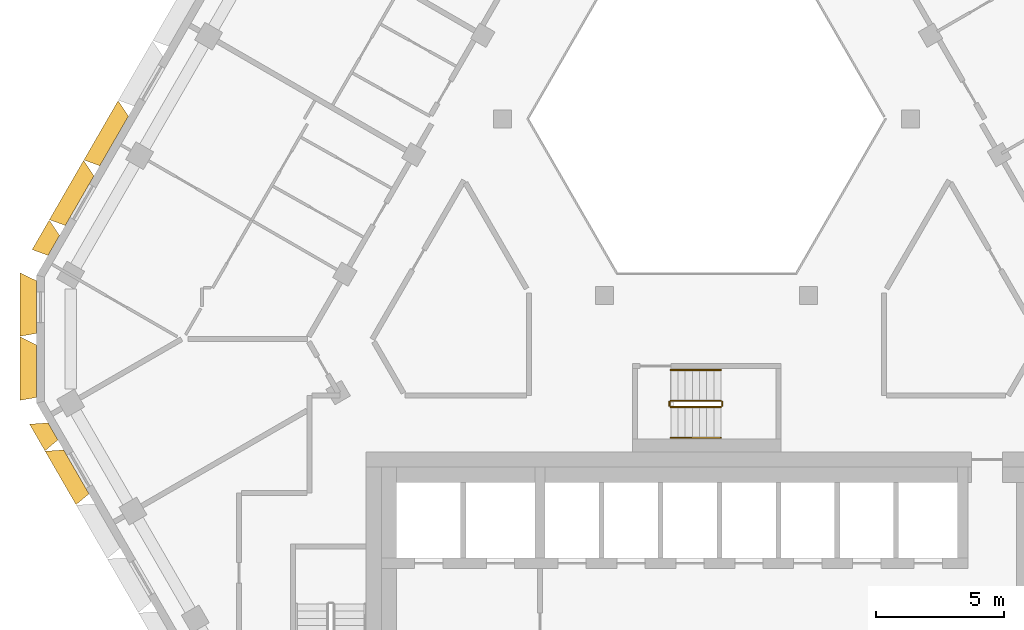
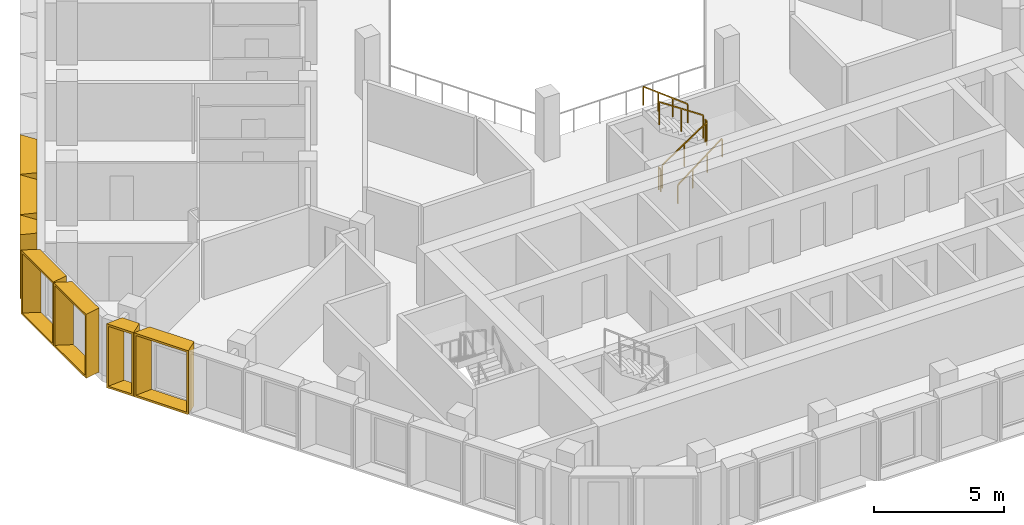
# One storey, part 12 of 15: 7 shading devices, 6 railings.
"""IFC4 building model written with IfcOpenShell, lengths in metres."""

from ifc_helpers import new_model, entity, si_unit, direction, frame, origin, origin_2d, place, context, subcontext, project, spatial, rectangle, extrude, source, transform, mapped, material, type_object, type_shapes, element, save


model = new_model("IFC4")

# Units and contexts
model_context = context("Model", 3, precision=1e-05, world=origin(), true_north=direction((0.0, 1.0)))
body_context = subcontext(model_context, "Body", "Model", "MODEL_VIEW")
ifc_project = project(units=[si_unit("LENGTHUNIT", "METRE"), si_unit("AREAUNIT", "SQUARE_METRE"), si_unit("VOLUMEUNIT", "CUBIC_METRE"), si_unit("PLANEANGLEUNIT", "RADIAN"), si_unit("MASSUNIT", "GRAM", prefix="KILO")], contexts=[model_context])

# Site, building, storey
site_placement = place(None, origin())
site = spatial("IfcSite", under=ifc_project, at=site_placement, CompositionType="ELEMENT")
building_placement = place(site_placement, origin())
building = spatial("IfcBuilding", under=site, at=building_placement, Name="Beryl Residences", CompositionType="ELEMENT")
storey_placement = place(building_placement, frame((0.0, 0.0, 169.199951171875)))
storey = spatial("IfcBuildingStorey", under=building, at=storey_placement, Name="L51", CompositionType="ELEMENT", Elevation=169.199951171875)

# Shading devices
ifc_material_1 = material(Name="Aluminium pale anodised", Category="aluminium")
shading_device_type_1 = type_object("IfcShadingDeviceType", Name="FR122-65B OUTER SKIN frame 650 mm deep, splay 26/10 deg, 1220 x 3000 mm cell", PredefinedType="USERDEFINED", material=ifc_material_1)
cartesian_point_1 = entity("IfcCartesianPoint", [-0.384033203125, 0.0])
cartesian_point_2 = entity("IfcCartesianPoint", [-0.294921875, 0.10009765625])
cartesian_point_3 = entity("IfcCartesianPoint", [-0.700927734375, 0.0])
cartesian_point_4 = entity("IfcCartesianPoint", [-0.612060546875, 0.10009765625])
shared_shape_1 = source(origin(), body_context, "Body", "SweptSolid", [
    entity("IfcExtrudedAreaSolidTapered", entity("IfcArbitraryProfileDefWithVoids", "AREA", None, entity("IfcPolyline", [cartesian_point_1, entity("IfcCartesianPoint", [0.384033203125, 0.0]), entity("IfcCartesianPoint", [0.384033203125, 3.0]), entity("IfcCartesianPoint", [-0.384033203125, 3.0]), cartesian_point_1]), [entity("IfcPolyline", [cartesian_point_2, entity("IfcCartesianPoint", [0.302734375, 0.10009765625]), entity("IfcCartesianPoint", [0.302734375, 2.89990234375]), entity("IfcCartesianPoint", [-0.294921875, 2.89990234375]), cartesian_point_2])]), entity("IfcAxis2Placement3D", entity("IfcCartesianPoint", [0.0, 0.0, 0.0]), entity("IfcDirection", [0.0, 1.0, 0.0]), entity("IfcDirection", [-1.0, 0.0, 0.0])), entity("IfcDirection", [0.0, 0.0, 1.0]), 0.64990234375, entity("IfcArbitraryProfileDefWithVoids", "AREA", None, entity("IfcPolyline", [cartesian_point_3, entity("IfcCartesianPoint", [0.49853515625, 0.0]), entity("IfcCartesianPoint", [0.49853515625, 3.0]), entity("IfcCartesianPoint", [-0.700927734375, 3.0]), cartesian_point_3]), [entity("IfcPolyline", [cartesian_point_4, entity("IfcCartesianPoint", [0.41748046875, 0.10009765625]), entity("IfcCartesianPoint", [0.41748046875, 2.89990234375]), entity("IfcCartesianPoint", [-0.612060546875, 2.89990234375]), cartesian_point_4])])),
])
type_shapes(shading_device_type_1, [shared_shape_1])
shading_device_1_placement = place(storey_placement, frame((-25.51708984375, -4.200927734375, 0.0), z_axis=(0.0, 0.0, 1.0), x_axis=(-0.5, 0.866025403784, 0.0)))
element("IfcShadingDevice", 1, at=shading_device_1_placement, inside=storey, type_object=shading_device_type_1, Name="FR122-65B frame L51 SW 1", ObjectType="OUTER SKIN", PredefinedType="USERDEFINED", context=body_context, shape_type="MappedRepresentation", body=[
    mapped(shared_shape_1, transform((0.0, 0.0, 0.0))),
])
ifc_material_2 = material(Name="Aluminium pale anodised", Category="aluminium")
shading_device_type_2 = type_object("IfcShadingDeviceType", Name="FR135-65B OUTER SKIN frame 650 mm deep, splay 26/10 deg, 1350 x 3000 mm cell", PredefinedType="USERDEFINED", material=ifc_material_2)
cartesian_point_5 = entity("IfcCartesianPoint", [-0.448974609375, 0.0])
cartesian_point_6 = entity("IfcCartesianPoint", [-0.360107421875, 0.10009765625])
cartesian_point_7 = entity("IfcCartesianPoint", [-0.76611328125, 0.0])
cartesian_point_8 = entity("IfcCartesianPoint", [-0.677001953125, 0.10009765625])
shared_shape_2 = source(origin(), body_context, "Body", "SweptSolid", [
    entity("IfcExtrudedAreaSolidTapered", entity("IfcArbitraryProfileDefWithVoids", "AREA", None, entity("IfcPolyline", [cartesian_point_5, entity("IfcCartesianPoint", [0.448974609375, 0.0]), entity("IfcCartesianPoint", [0.448974609375, 3.0]), entity("IfcCartesianPoint", [-0.448974609375, 3.0]), cartesian_point_5]), [entity("IfcPolyline", [cartesian_point_6, entity("IfcCartesianPoint", [0.36767578125, 0.10009765625]), entity("IfcCartesianPoint", [0.36767578125, 2.89990234375]), entity("IfcCartesianPoint", [-0.360107421875, 2.89990234375]), cartesian_point_6])]), entity("IfcAxis2Placement3D", entity("IfcCartesianPoint", [0.0, 0.0, 0.0]), entity("IfcDirection", [0.0, 1.0, 0.0]), entity("IfcDirection", [-1.0, 0.0, 0.0])), entity("IfcDirection", [0.0, 0.0, 1.0]), 0.64990234375, entity("IfcArbitraryProfileDefWithVoids", "AREA", None, entity("IfcPolyline", [cartesian_point_7, entity("IfcCartesianPoint", [0.563720703125, 0.0]), entity("IfcCartesianPoint", [0.563720703125, 3.0]), entity("IfcCartesianPoint", [-0.76611328125, 3.0]), cartesian_point_7]), [entity("IfcPolyline", [cartesian_point_8, entity("IfcCartesianPoint", [0.482421875, 0.10009765625]), entity("IfcCartesianPoint", [0.482421875, 2.89990234375]), entity("IfcCartesianPoint", [-0.677001953125, 2.89990234375]), cartesian_point_8])])),
])
type_shapes(shading_device_type_2, [shared_shape_2])
shading_device_2_placement = place(storey_placement, frame((-25.485107421875, 3.056884765625, 0.0), z_axis=(0.0, 0.0, 1.0), x_axis=(0.5, 0.866025403784, 0.0)))
element("IfcShadingDevice", 2, at=shading_device_2_placement, inside=storey, type_object=shading_device_type_2, Name="FR135-65B frame L51 NW 9", ObjectType="OUTER SKIN", PredefinedType="USERDEFINED", context=body_context, shape_type="MappedRepresentation", body=[
    mapped(shared_shape_2, transform((0.0, 0.0, 0.0))),
])
ifc_material_3 = material(Name="Aluminium pale anodised", Category="aluminium")
shading_device_type_3 = type_object("IfcShadingDeviceType", Name="FR243-65B OUTER SKIN frame 650 mm deep, splay 26/10 deg, 2430 x 3000 mm cell", PredefinedType="USERDEFINED", material=ifc_material_3)
cartesian_point_9 = entity("IfcCartesianPoint", [-0.989013671875, 0.0])
cartesian_point_10 = entity("IfcCartesianPoint", [-0.89990234375, 0.10009765625])
cartesian_point_11 = entity("IfcCartesianPoint", [-1.305908203125, 0.0])
cartesian_point_12 = entity("IfcCartesianPoint", [-1.217041015625, 0.10009765625])
shared_shape_3 = source(origin(), body_context, "Body", "SweptSolid", [
    entity("IfcExtrudedAreaSolidTapered", entity("IfcArbitraryProfileDefWithVoids", "AREA", None, entity("IfcPolyline", [cartesian_point_9, entity("IfcCartesianPoint", [0.989013671875, 0.0]), entity("IfcCartesianPoint", [0.989013671875, 3.0]), entity("IfcCartesianPoint", [-0.989013671875, 3.0]), cartesian_point_9]), [entity("IfcPolyline", [cartesian_point_10, entity("IfcCartesianPoint", [0.90771484375, 0.10009765625]), entity("IfcCartesianPoint", [0.90771484375, 2.89990234375]), entity("IfcCartesianPoint", [-0.89990234375, 2.89990234375]), cartesian_point_10])]), entity("IfcAxis2Placement3D", entity("IfcCartesianPoint", [0.0, 0.0, 0.0]), entity("IfcDirection", [0.0, 1.0, 0.0]), entity("IfcDirection", [-1.0, 0.0, 0.0])), entity("IfcDirection", [0.0, 0.0, 1.0]), 0.64990234375, entity("IfcArbitraryProfileDefWithVoids", "AREA", None, entity("IfcPolyline", [cartesian_point_11, entity("IfcCartesianPoint", [1.103515625, 0.0]), entity("IfcCartesianPoint", [1.103515625, 3.0]), entity("IfcCartesianPoint", [-1.305908203125, 3.0]), cartesian_point_11]), [entity("IfcPolyline", [cartesian_point_12, entity("IfcCartesianPoint", [1.0224609375, 0.10009765625]), entity("IfcCartesianPoint", [1.0224609375, 2.89990234375]), entity("IfcCartesianPoint", [-1.217041015625, 2.89990234375]), cartesian_point_12])])),
])
type_shapes(shading_device_type_3, [shared_shape_3])
shading_device_3_placement = place(storey_placement, frame((-24.60498046875, -5.781005859375, 0.0), z_axis=(0.0, 0.0, 1.0), x_axis=(-0.5, 0.866025403784, 0.0)))
element("IfcShadingDevice", 3, at=shading_device_3_placement, inside=storey, type_object=shading_device_type_3, Name="FR243-65B frame L51 SW 2", ObjectType="OUTER SKIN", PredefinedType="USERDEFINED", context=body_context, shape_type="MappedRepresentation", body=[
    mapped(shared_shape_3, transform((0.0, 0.0, 0.0))),
])
ifc_material_4 = material(Name="Aluminium pale anodised", Category="aluminium")
shading_device_type_4 = type_object("IfcShadingDeviceType", Name="FR250-65B OUTER SKIN frame 650 mm deep, splay 26/10 deg, 2500 x 3000 mm cell", PredefinedType="USERDEFINED", material=ifc_material_4)
cartesian_point_13 = entity("IfcCartesianPoint", [-1.02392578125, 0.0])
cartesian_point_14 = entity("IfcCartesianPoint", [-0.93505859375, 0.10009765625])
cartesian_point_15 = entity("IfcCartesianPoint", [-1.341064453125, 0.0])
cartesian_point_16 = entity("IfcCartesianPoint", [-1.251953125, 0.10009765625])
shared_shape_4 = source(origin(), body_context, "Body", "SweptSolid", [
    entity("IfcExtrudedAreaSolidTapered", entity("IfcArbitraryProfileDefWithVoids", "AREA", None, entity("IfcPolyline", [cartesian_point_13, entity("IfcCartesianPoint", [1.02392578125, 0.0]), entity("IfcCartesianPoint", [1.02392578125, 3.0]), entity("IfcCartesianPoint", [-1.02392578125, 3.0]), cartesian_point_13]), [entity("IfcPolyline", [cartesian_point_14, entity("IfcCartesianPoint", [0.94287109375, 0.10009765625]), entity("IfcCartesianPoint", [0.94287109375, 2.89990234375]), entity("IfcCartesianPoint", [-0.93505859375, 2.89990234375]), cartesian_point_14])]), entity("IfcAxis2Placement3D", entity("IfcCartesianPoint", [0.0, 0.0, 0.0]), entity("IfcDirection", [0.0, 1.0, 0.0]), entity("IfcDirection", [-1.0, 0.0, 0.0])), entity("IfcDirection", [0.0, 0.0, 1.0]), 0.64990234375, entity("IfcArbitraryProfileDefWithVoids", "AREA", None, entity("IfcPolyline", [cartesian_point_15, entity("IfcCartesianPoint", [1.138671875, 0.0]), entity("IfcCartesianPoint", [1.138671875, 3.0]), entity("IfcCartesianPoint", [-1.341064453125, 3.0]), cartesian_point_15]), [entity("IfcPolyline", [cartesian_point_16, entity("IfcCartesianPoint", [1.057373046875, 0.10009765625]), entity("IfcCartesianPoint", [1.057373046875, 2.89990234375]), entity("IfcCartesianPoint", [-1.251953125, 2.89990234375]), cartesian_point_16])])),
])
type_shapes(shading_device_type_4, [shared_shape_4])
for number, where, z_axis, x_axis, name in (
    (4, (-26.154052734375, 0.64990234375, 0.0), (0.0, 0.0, 1.0), (0.0, 1.0, 0.0), "FR250-65B frame L51 NW-SW 1"),
    (5, (-26.154052734375, -1.85009765625, 0.0), (0.0, 0.0, 1.0), (0.0, 1.0, 0.0), "FR250-65B frame L51 NW-SW 2"),
):
    element("IfcShadingDevice", number, at=place(storey_placement, frame(where, z_axis=z_axis, x_axis=x_axis)), inside=storey, type_object=shading_device_type_4, Name=name, ObjectType="OUTER SKIN", PredefinedType="USERDEFINED", context=body_context, shape_type="MappedRepresentation", body=[
        mapped(shared_shape_4, transform((0.0, 0.0, 0.0))),
    ])
ifc_material_5 = material(Name="Aluminium pale anodised", Category="aluminium")
shading_device_type_5 = type_object("IfcShadingDeviceType", Name="FR269-65B OUTER SKIN frame 650 mm deep, splay 26/10 deg, 2690 x 3000 mm cell", PredefinedType="USERDEFINED", material=ifc_material_5)
cartesian_point_17 = entity("IfcCartesianPoint", [-1.118896484375, 0.0])
cartesian_point_18 = entity("IfcCartesianPoint", [-1.030029296875, 0.10009765625])
cartesian_point_19 = entity("IfcCartesianPoint", [-1.43603515625, 0.0])
cartesian_point_20 = entity("IfcCartesianPoint", [-1.346923828125, 0.10009765625])
shared_shape_5 = source(origin(), body_context, "Body", "SweptSolid", [
    entity("IfcExtrudedAreaSolidTapered", entity("IfcArbitraryProfileDefWithVoids", "AREA", None, entity("IfcPolyline", [cartesian_point_17, entity("IfcCartesianPoint", [1.118896484375, 0.0]), entity("IfcCartesianPoint", [1.118896484375, 3.0]), entity("IfcCartesianPoint", [-1.118896484375, 3.0]), cartesian_point_17]), [entity("IfcPolyline", [cartesian_point_18, entity("IfcCartesianPoint", [1.037841796875, 0.10009765625]), entity("IfcCartesianPoint", [1.037841796875, 2.89990234375]), entity("IfcCartesianPoint", [-1.030029296875, 2.89990234375]), cartesian_point_18])]), entity("IfcAxis2Placement3D", entity("IfcCartesianPoint", [0.0, 0.0, 0.0]), entity("IfcDirection", [0.0, 1.0, 0.0]), entity("IfcDirection", [-1.0, 0.0, 0.0])), entity("IfcDirection", [0.0, 0.0, 1.0]), 0.64990234375, entity("IfcArbitraryProfileDefWithVoids", "AREA", None, entity("IfcPolyline", [cartesian_point_19, entity("IfcCartesianPoint", [1.233642578125, 0.0]), entity("IfcCartesianPoint", [1.233642578125, 3.0]), entity("IfcCartesianPoint", [-1.43603515625, 3.0]), cartesian_point_19]), [entity("IfcPolyline", [cartesian_point_20, entity("IfcCartesianPoint", [1.15234375, 0.10009765625]), entity("IfcCartesianPoint", [1.15234375, 2.89990234375]), entity("IfcCartesianPoint", [-1.346923828125, 2.89990234375]), cartesian_point_20])])),
])
type_shapes(shading_device_type_5, [shared_shape_5])
for number, where, z_axis, x_axis, name in (
    (6, (-23.1298828125, 7.136962890625, 0.0), (0.0, 0.0, 1.0), (0.5, 0.866025403784, 0.0), "FR269-65B frame L51 NW 7"),
    (7, (-24.47607421875, 4.805908203125, 0.0), (0.0, 0.0, 1.0), (0.5, 0.866025403784, 0.0), "FR269-65B frame L51 NW 8"),
):
    element("IfcShadingDevice", number, at=place(storey_placement, frame(where, z_axis=z_axis, x_axis=x_axis)), inside=storey, type_object=shading_device_type_5, Name=name, ObjectType="OUTER SKIN", PredefinedType="USERDEFINED", context=body_context, shape_type="MappedRepresentation", body=[
        mapped(shared_shape_5, transform((0.0, 0.0, 0.0))),
    ])

# Railings
ifc_material_6 = material(Name="Stainless steel balustrade with glass infill", Category="steel")
railing_type_1 = type_object("IfcRailingType", Name="SG1 stair guard 1100 mm", PredefinedType="GUARDRAIL", material=ifc_material_6)
railing_1_placement = place(storey_placement, frame((-1.39990234375, -3.25, 0.1875)))
element("IfcRailing", 8, at=railing_1_placement, inside=storey, type_object=railing_type_1, Name="L51 ST-4 stair guard 1", PredefinedType="GUARDRAIL", context=body_context, shape_type="SweptSolid", body=[
    extrude(rectangle(XDim=0.048095703125, YDim=0.048095703125, at=origin_2d()), frame((0.0, 0.0, 1.076171875), z_axis=(0.830902050051, 0.0, 0.556418712142), x_axis=(0.0, 1.0, 0.0)), (0.0, 0.0, 1.0), 2.35888671875),
    extrude(rectangle(XDim=0.0419921875, YDim=0.0419921875, at=origin_2d()), origin(), (0.0, 0.0, 1.0), 1.052001953125),
    extrude(rectangle(XDim=0.0419921875, YDim=0.0419921875, at=origin_2d()), frame((0.97998046875, 0.0, 0.65625)), (0.0, 0.0, 1.0), 1.052001953125),
    extrude(rectangle(XDim=0.0419921875, YDim=0.0419921875, at=origin_2d()), frame((1.9599609375, 0.0, 1.3125)), (0.0, 0.0, 1.0), 1.052001953125),
])
railing_2_placement = place(storey_placement, frame((0.610107421875, -3.199951171875, 1.5)))
element("IfcRailing", 9, at=railing_2_placement, inside=storey, type_object=railing_type_1, Name="L51 ST-4 stair guard 2", PredefinedType="GUARDRAIL", context=body_context, shape_type="SweptSolid", body=[
    extrude(rectangle(XDim=0.048095703125, YDim=0.048095703125, at=origin_2d()), frame((0.0, 0.0, 1.076171875), z_axis=(0.0, 1.0, 0.0), x_axis=(-1.0, 0.0, 0.0)), (0.0, 0.0, 1.0), 0.14990234375),
    extrude(rectangle(XDim=0.0419921875, YDim=0.0419921875, at=origin_2d()), origin(), (0.0, 0.0, 1.0), 1.052001953125),
    extrude(rectangle(XDim=0.0419921875, YDim=0.0419921875, at=origin_2d()), frame((0.0, 0.14990234375, 0.0)), (0.0, 0.0, 1.0), 1.052001953125),
])
railing_3_placement = place(storey_placement, frame((0.56005859375, -3.0, 1.6875)))
element("IfcRailing", 10, at=railing_3_placement, inside=storey, type_object=railing_type_1, Name="L51 ST-4 stair guard 3", PredefinedType="GUARDRAIL", context=body_context, shape_type="SweptSolid", body=[
    extrude(rectangle(XDim=0.048095703125, YDim=0.048095703125, at=origin_2d()), frame((0.0, 0.0, 1.076171875), z_axis=(-0.830902050051, 0.0, 0.556418712142), x_axis=(0.0, -1.0, 0.0)), (0.0, 0.0, 1.0), 2.35888671875),
    extrude(rectangle(XDim=0.0419921875, YDim=0.0419921875, at=origin_2d()), origin(), (0.0, 0.0, 1.0), 1.052001953125),
    extrude(rectangle(XDim=0.0419921875, YDim=0.0419921875, at=origin_2d()), frame((-0.97998046875, 0.0, 0.65625)), (0.0, 0.0, 1.0), 1.052001953125),
    extrude(rectangle(XDim=0.0419921875, YDim=0.0419921875, at=origin_2d()), frame((-1.9599609375, 0.0, 1.3125)), (0.0, 0.0, 1.0), 1.052001953125),
])
railing_4_placement = place(storey_placement, frame((-1.449951171875, -3.199951171875, 0.0)))
element("IfcRailing", 11, at=railing_4_placement, inside=storey, type_object=railing_type_1, Name="L51 ST-4 stair guard 4", PredefinedType="GUARDRAIL", context=body_context, shape_type="SweptSolid", body=[
    extrude(rectangle(XDim=0.048095703125, YDim=0.048095703125, at=origin_2d()), frame((0.0, 0.0, 1.076171875), z_axis=(0.0, 1.0, 0.0), x_axis=(-1.0, 0.0, 0.0)), (0.0, 0.0, 1.0), 0.14990234375),
    extrude(rectangle(XDim=0.0419921875, YDim=0.0419921875, at=origin_2d()), origin(), (0.0, 0.0, 1.0), 1.052001953125),
    extrude(rectangle(XDim=0.0419921875, YDim=0.0419921875, at=origin_2d()), frame((0.0, 0.14990234375, 0.0)), (0.0, 0.0, 1.0), 1.052001953125),
])
ifc_material_7 = material(Name="Stainless steel handrail", Category="steel")
railing_type_2 = type_object("IfcRailingType", Name="SRL1 stair handrail 900 mm", PredefinedType="HANDRAIL", material=ifc_material_7)
railing_5_placement = place(storey_placement, frame((-1.39990234375, -4.449951171875, 0.1875)))
element("IfcRailing", 12, at=railing_5_placement, inside=storey, type_object=railing_type_2, Name="L51 ST-4 stair handrail 1", PredefinedType="HANDRAIL", context=body_context, shape_type="SweptSolid", body=[
    extrude(rectangle(XDim=0.048095703125, YDim=0.048095703125, at=origin_2d()), frame((0.0, 0.0, 0.8759765625), z_axis=(0.794121922505, 0.0, 0.607758481798), x_axis=(0.0, 1.0, 0.0)), (0.0, 0.0, 1.0), 2.468017578125),
    extrude(rectangle(XDim=0.0419921875, YDim=0.0419921875, at=origin_2d()), origin(), (0.0, 0.0, 1.0), 0.851806640625),
    extrude(rectangle(XDim=0.0419921875, YDim=0.0419921875, at=origin_2d()), frame((0.6533203125, 0.0, 0.5)), (0.0, 0.0, 1.0), 0.851806640625),
    extrude(rectangle(XDim=0.0419921875, YDim=0.0419921875, at=origin_2d()), frame((1.306640625, 0.0, 1.0)), (0.0, 0.0, 1.0), 0.851806640625),
    extrude(rectangle(XDim=0.0419921875, YDim=0.0419921875, at=origin_2d()), frame((1.9599609375, 0.0, 1.5)), (0.0, 0.0, 1.0), 0.851806640625),
])
railing_6_placement = place(storey_placement, frame((0.56005859375, -1.800048828125, 1.6875)))
element("IfcRailing", 13, at=railing_6_placement, inside=storey, type_object=railing_type_2, Name="L51 ST-4 stair handrail 2", PredefinedType="HANDRAIL", context=body_context, shape_type="SweptSolid", body=[
    extrude(rectangle(XDim=0.048095703125, YDim=0.048095703125, at=origin_2d()), frame((0.0, 0.0, 0.8759765625), z_axis=(-0.794121922505, 0.0, 0.607758481798), x_axis=(0.0, -1.0, 0.0)), (0.0, 0.0, 1.0), 2.468017578125),
    extrude(rectangle(XDim=0.0419921875, YDim=0.0419921875, at=origin_2d()), origin(), (0.0, 0.0, 1.0), 0.851806640625),
    extrude(rectangle(XDim=0.0419921875, YDim=0.0419921875, at=origin_2d()), frame((-0.6533203125, 0.0, 0.5)), (0.0, 0.0, 1.0), 0.851806640625),
    extrude(rectangle(XDim=0.0419921875, YDim=0.0419921875, at=origin_2d()), frame((-1.306640625, 0.0, 1.0)), (0.0, 0.0, 1.0), 0.851806640625),
    extrude(rectangle(XDim=0.0419921875, YDim=0.0419921875, at=origin_2d()), frame((-1.9599609375, 0.0, 1.5)), (0.0, 0.0, 1.0), 0.851806640625),
])

save(model, "model.ifc")
